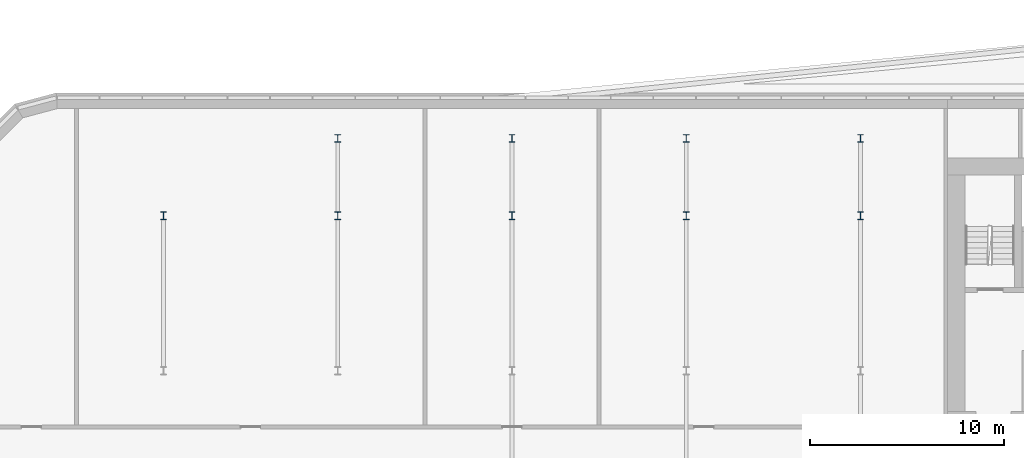
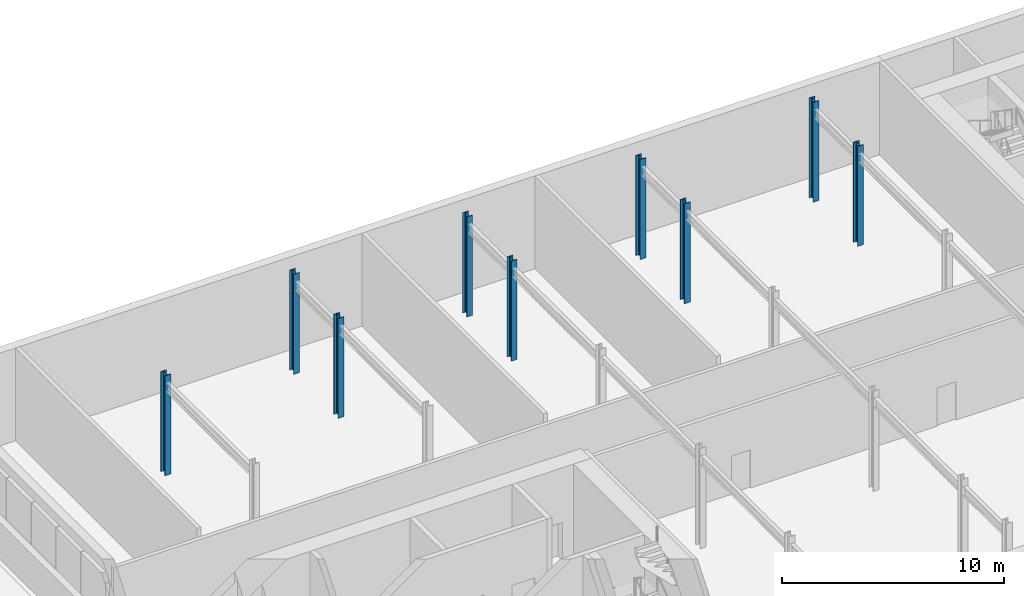
# One storey, part 3 of 16: 9 columns.
"""IFC4 building model written with IfcOpenShell, lengths in metres."""

from ifc_helpers import new_model, si_unit, direction, frame, origin, origin_2d, place, context, subcontext, project, spatial, i_section, extrude, material, material_profile, profile_set, type_object, element, save


model = new_model("IFC4")

# Units and contexts
model_context = context("Model", 3, precision=1e-05, world=origin(), true_north=direction((0.0, 1.0)))
body_context = subcontext(model_context, "Body", "Model", "MODEL_VIEW")
ifc_project = project(units=[si_unit("LENGTHUNIT", "METRE"), si_unit("AREAUNIT", "SQUARE_METRE"), si_unit("VOLUMEUNIT", "CUBIC_METRE"), si_unit("PLANEANGLEUNIT", "RADIAN"), si_unit("MASSUNIT", "GRAM", prefix="KILO")], contexts=[model_context])

# Site, building, storey
site_placement = place(None, origin())
site = spatial("IfcSite", under=ifc_project, at=site_placement, CompositionType="ELEMENT")
building_placement = place(site_placement, origin())
building = spatial("IfcBuilding", under=site, at=building_placement, Name="Kajstack Hotel Tower", CompositionType="ELEMENT")
storey_placement = place(building_placement, frame((0.0, 0.0, 308.10009765625)))
storey = spatial("IfcBuildingStorey", under=building, at=storey_placement, Name="L78", CompositionType="ELEMENT", Elevation=308.10009765625)

# Columns
ifc_material = material(Name="Steel S355J2", Category="steel")
ifc_material_profile = material_profile(ifc_material, i_section(OverallWidth=0.300048828125, OverallDepth=0.39990234375, WebThickness=0.013427734375, FlangeThickness=0.02392578125, FilletRadius=0.027099609375, at=origin_2d()), Name="HEB 400")
ifc_profile_set = profile_set([ifc_material_profile], Name="Steel S355J2")
column_type = type_object("IfcColumnType", Name="CC1 HEB 400", PredefinedType="COLUMN", material=ifc_profile_set)
for number, where, z_axis, x_axis, name in (
    (1, (-27.0, 12.5, 0.0), (0.0, 0.0, 1.0), (1.0, 0.0, 0.0), "S-col-c-L78--27p0+12p5"),
    (2, (-18.0, 12.5, 0.0), (0.0, 0.0, 1.0), (1.0, 0.0, 0.0), "S-col-c-L78--18p0+12p5"),
    (3, (-18.0, 16.5, 0.0), (0.0, 0.0, 1.0), (1.0, 0.0, 0.0), "S-col-c-L78--18p0+16p5"),
    (4, (-9.0, 12.5, 0.0), (0.0, 0.0, 1.0), (1.0, 0.0, 0.0), "S-col-c-L78--9p0+12p5"),
    (5, (-9.0, 16.5, 0.0), (0.0, 0.0, 1.0), (1.0, 0.0, 0.0), "S-col-c-L78--9p0+16p5"),
    (6, (0.0, 12.5, 0.0), (0.0, 0.0, 1.0), (1.0, 0.0, 0.0), "S-col-c-L78-+0p0+12p5"),
    (7, (0.0, 16.5, 0.0), (0.0, 0.0, 1.0), (1.0, 0.0, 0.0), "S-col-c-L78-+0p0+16p5"),
    (8, (9.0, 12.5, 0.0), (0.0, 0.0, 1.0), (1.0, 0.0, 0.0), "S-col-c-L78-+9p0+12p5"),
    (9, (9.0, 16.5, 0.0), (0.0, 0.0, 1.0), (1.0, 0.0, 0.0), "S-col-c-L78-+9p0+16p5"),
):
    element("IfcColumn", number, at=place(storey_placement, frame(where, z_axis=z_axis, x_axis=x_axis)), inside=storey, type_object=column_type, Name=name, PredefinedType="COLUMN", context=body_context, shape_type="SweptSolid", body=[
        extrude(i_section(OverallWidth=0.300048828125, OverallDepth=0.39990234375, WebThickness=0.013427734375, FlangeThickness=0.02392578125, FilletRadius=0.027099609375, at=origin_2d()), origin(), (0.0, 0.0, 1.0), 5.5),
    ])

save(model, "model.ifc")
